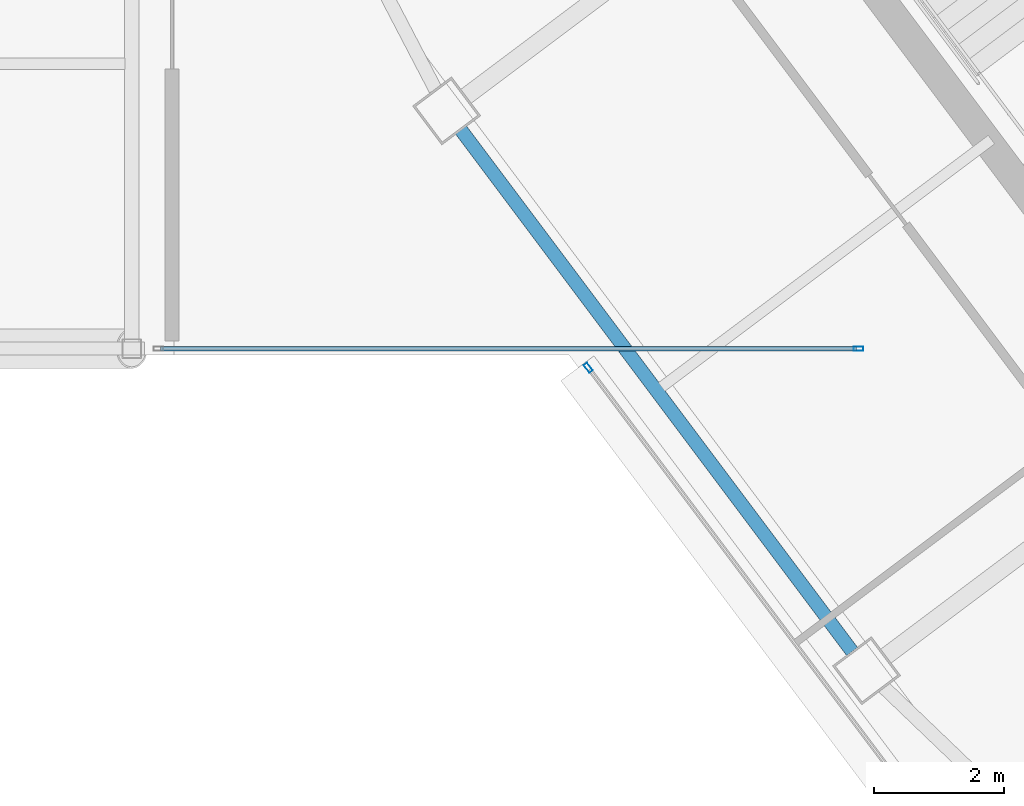
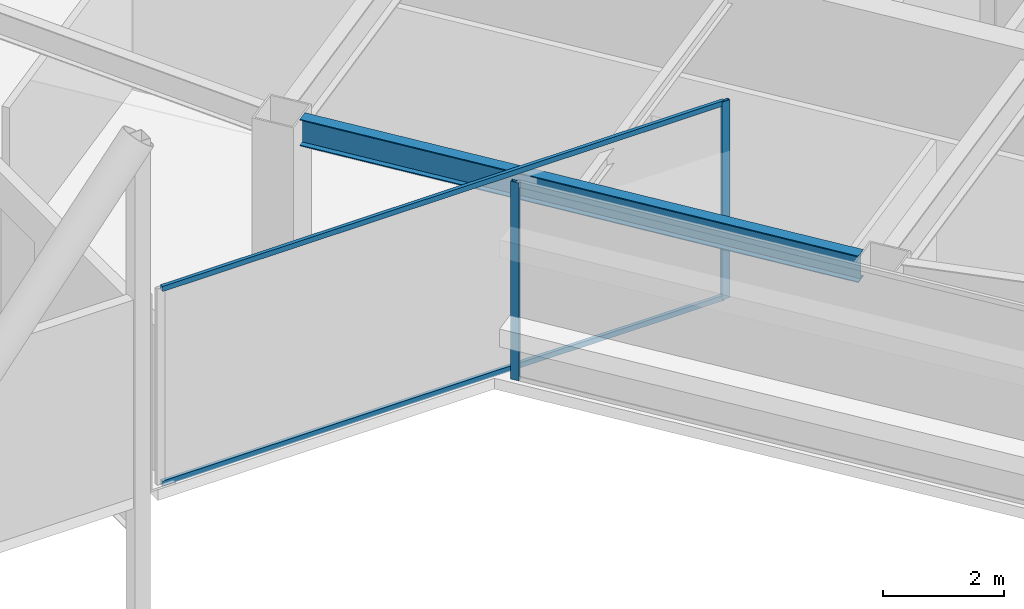
# One storey, part 31 of 53: 4 members, 1 beam, 2 elements without a shape of their own.
"""IFC4 building model written with IfcOpenShell, lengths in metres."""

from ifc_helpers import new_model, si_unit, direction, frame, origin, origin_2d, place, context, subcontext, project, spatial, hollow_rectangle, i_section, extrude, material, material_profile, profile_set, type_object, element, aggregate, save


model = new_model("IFC4")

# Units and contexts
model_context = context("Model", 3, precision=1e-05, world=origin(), true_north=direction((0.0, 1.0)))
body_context = subcontext(model_context, "Body", "Model", "MODEL_VIEW")
ifc_project = project(units=[si_unit("LENGTHUNIT", "METRE"), si_unit("AREAUNIT", "SQUARE_METRE"), si_unit("VOLUMEUNIT", "CUBIC_METRE"), si_unit("PLANEANGLEUNIT", "RADIAN"), si_unit("MASSUNIT", "GRAM", prefix="KILO")], contexts=[model_context])

# Site, building, storey
site_placement = place(None, origin())
site = spatial("IfcSite", under=ifc_project, at=site_placement, CompositionType="ELEMENT")
building_placement = place(site_placement, origin())
building = spatial("IfcBuilding", under=site, at=building_placement, Name="Tashvorn Skyway Center", CompositionType="ELEMENT")
storey_placement = place(building_placement, frame((0.0, 0.0, 255.39990234375)))
storey = spatial("IfcBuildingStorey", under=building, at=storey_placement, Name="L69", CompositionType="ELEMENT", Elevation=255.39990234375)

# Beam
ifc_material_1 = material(Name="Steel ASTM A992 Grade 50", Category="steel")
ifc_material_profile_1 = material_profile(ifc_material_1, i_section(OverallWidth=0.2109375, OverallDepth=0.5390625, WebThickness=0.01171875, FlangeThickness=0.018798828125, at=origin_2d()), Name="W21X73")
ifc_profile_set_1 = profile_set([ifc_material_profile_1], Name="Steel ASTM A992 Grade 50")
beam_type = type_object("IfcBeamType", Name="BM-SPANDREL-W21X73", PredefinedType="SPANDREL", material=ifc_profile_set_1)
beam_placement = place(storey_placement, frame((99.58203125, 27.47412109375, 3.510498046875), z_axis=(0.599988351091, -0.800008736549, 0.0), x_axis=(0.800008736549, 0.599988351091, 0.0)))
element("IfcBeam", 1, at=beam_placement, inside=storey, type_object=beam_type, Name="Tower 2 L69 Spandrel Beam 11", PredefinedType="SPANDREL", context=body_context, shape_type="SweptSolid", body=[
    extrude(i_section(OverallWidth=0.2109375, OverallDepth=0.5390625, WebThickness=0.01171875, FlangeThickness=0.018798828125, at=origin_2d()), origin(), (0.0, 0.0, 1.0), 10.06005859375),
])

# Curtain wall, member
ifc_material_2 = material(Name="Thermally broken bronze-anodized aluminium 6063-T6", Category="aluminium")
curtain_wall_type = type_object("IfcCurtainWallType", Name="CW-CW-SKY", PredefinedType="NOTDEFINED", material=ifc_material_2)
curtain_wall_1_placement = place(storey_placement, origin())
curtain_wall_1 = element("IfcCurtainWall", 2, at=curtain_wall_1_placement, inside=storey, type_object=curtain_wall_type, Name="Tower 2 L69 West Curtain Wall A", PredefinedType="NOTDEFINED")
ifc_material_profile_2 = material_profile(ifc_material_2, hollow_rectangle(XDim=0.06494140625, YDim=0.14990234375, WallThickness=0.00390625, at=origin_2d()), Name="ALU-MULL-65x150")
ifc_profile_set_2 = profile_set([ifc_material_profile_2], Name="Thermally broken bronze-anodized aluminium 6063-T6")
member_type_1 = type_object("IfcMemberType", Name="CWM-CW-SKY", PredefinedType="MULLION", material=ifc_profile_set_2)
member_1_placement = place(storey_placement, frame((101.54541015625, 23.805908203125, 0.0), z_axis=(0.0, 0.0, 1.0), x_axis=(-0.799999999998, -0.600000000002, 0.0)))
member_1 = element("IfcMember", 3, at=member_1_placement, type_object=member_type_1, Name="CW-SKY mullion 2", PredefinedType="MULLION", context=body_context, shape_type="SweptSolid", body=[
    extrude(hollow_rectangle(XDim=0.06494140625, YDim=0.14990234375, WallThickness=0.00390625, at=origin_2d()), origin(), (0.0, 0.0, 1.0), 4.0),
])
aggregate(curtain_wall_1, [member_1])

# Curtain wall, members
curtain_wall_2_placement = place(storey_placement, origin())
curtain_wall_2 = element("IfcCurtainWall", 4, at=curtain_wall_2_placement, inside=storey, type_object=curtain_wall_type, Name="Tower 2 L69 Vestibule South Curtain Wall", PredefinedType="NOTDEFINED")
member_2_placement = place(storey_placement, frame((105.717529296875, 24.10009765625, 0.0), z_axis=(0.0, 0.0, 1.0), x_axis=(0.0, -1.0, 0.0)))
member_2 = element("IfcMember", 5, at=member_2_placement, type_object=member_type_1, Name="CW-SKY mullion 1", PredefinedType="MULLION", context=body_context, shape_type="SweptSolid", body=[
    extrude(hollow_rectangle(XDim=0.06494140625, YDim=0.14990234375, WallThickness=0.00390625, at=origin_2d()), origin(), (0.0, 0.0, 1.0), 4.0),
])
ifc_material_profile_3 = material_profile(ifc_material_2, hollow_rectangle(XDim=0.06494140625, YDim=0.10498046875, WallThickness=0.00390625, at=origin_2d()), Name="ALU-TRAN-65x105")
ifc_profile_set_3 = profile_set([ifc_material_profile_3], Name="Thermally broken bronze-anodized aluminium 6063-T6")
member_type_2 = type_object("IfcMemberType", Name="CWT-CW-SKY", PredefinedType="USERDEFINED", material=ifc_profile_set_3)
member_3_placement = place(storey_placement, frame((105.68505859375, 24.10009765625, 0.03271484375), z_axis=(-1.0, 0.0, 0.0), x_axis=(0.0, -1.0, 0.0)))
member_3 = element("IfcMember", 6, at=member_3_placement, type_object=member_type_2, Name="CW-SKY transom 1.1", ObjectType="TRANSOM", PredefinedType="USERDEFINED", context=body_context, shape_type="SweptSolid", body=[
    extrude(hollow_rectangle(XDim=0.06494140625, YDim=0.10498046875, WallThickness=0.00390625, at=origin_2d()), origin(), (0.0, 0.0, 1.0), 10.739990234375),
])
member_4_placement = place(storey_placement, frame((105.68505859375, 24.10009765625, 3.967529296875), z_axis=(-1.0, 0.0, 0.0), x_axis=(0.0, -1.0, 0.0)))
member_4 = element("IfcMember", 7, at=member_4_placement, type_object=member_type_2, Name="CW-SKY transom 1.2", ObjectType="TRANSOM", PredefinedType="USERDEFINED", context=body_context, shape_type="SweptSolid", body=[
    extrude(hollow_rectangle(XDim=0.06494140625, YDim=0.10498046875, WallThickness=0.00390625, at=origin_2d()), origin(), (0.0, 0.0, 1.0), 10.739990234375),
])
aggregate(curtain_wall_2, [member_2, member_3, member_4])

save(model, "model.ifc")
